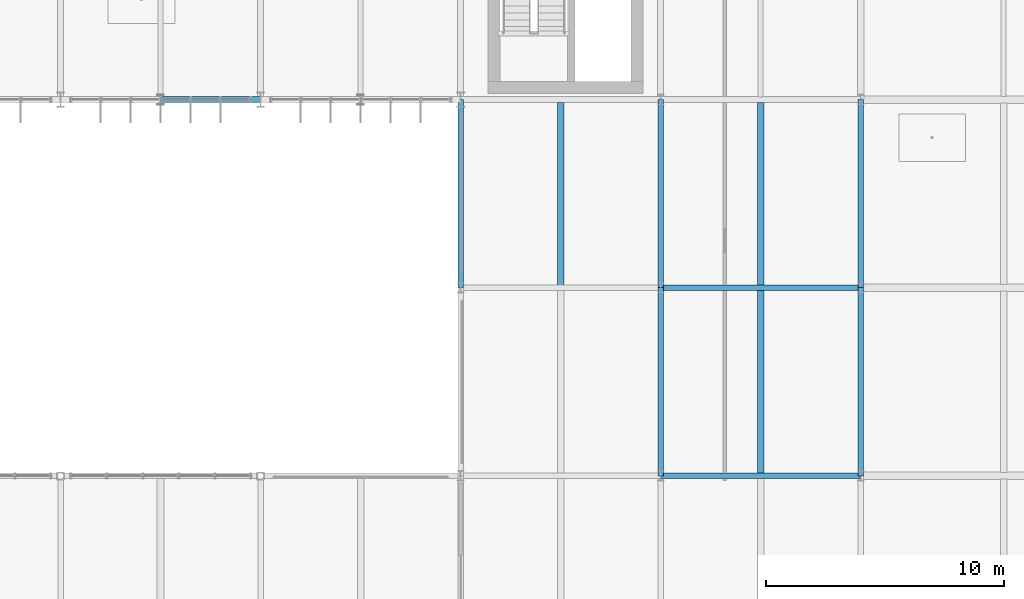
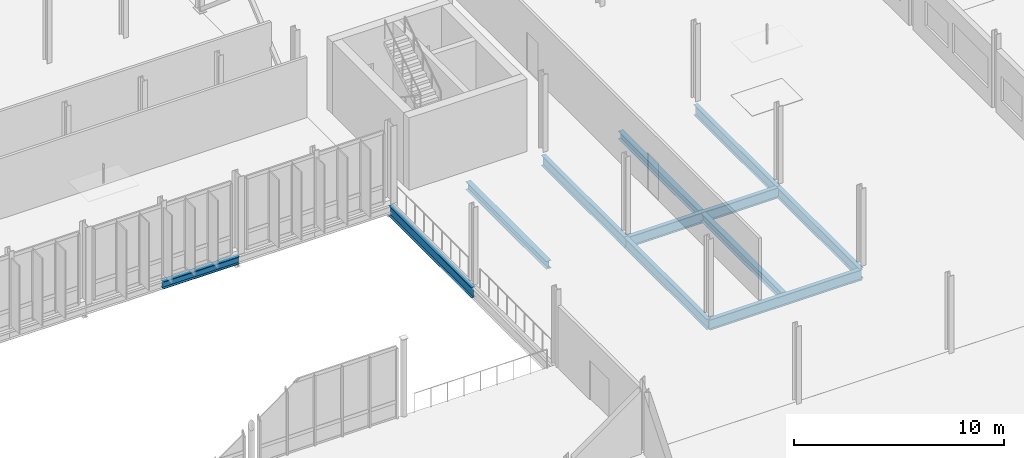
# One storey, part 75 of 139: 11 beams.
"""IFC4 building model written with IfcOpenShell, lengths in metres."""

from ifc_helpers import new_model, si_unit, derived_unit, direction, frame, origin, origin_2d, place, context, subcontext, project, spatial, i_section, extrude, material, material_profile, profile_set, type_object, element, save


model = new_model("IFC4")

# Units and contexts
model_context = context("Model", 3, precision=1e-05, world=origin(), true_north=direction((0.0, 1.0)))
body_context = subcontext(model_context, "Body", "Model", "MODEL_VIEW")
ifc_project = project(units=[si_unit("LENGTHUNIT", "METRE"), si_unit("AREAUNIT", "SQUARE_METRE"), si_unit("VOLUMEUNIT", "CUBIC_METRE"), si_unit("PLANEANGLEUNIT", "RADIAN"), si_unit("MASSUNIT", "GRAM", prefix="KILO"), derived_unit("THERMALTRANSMITTANCEUNIT", [(si_unit("MASSUNIT", "GRAM", prefix="KILO"), 1), (si_unit("TIMEUNIT", "SECOND"), -3), (si_unit("THERMODYNAMICTEMPERATUREUNIT", "KELVIN"), -1)])], contexts=[model_context])

# Site, building, storey
site_placement = place(None, origin())
site = spatial("IfcSite", under=ifc_project, at=site_placement, CompositionType="ELEMENT")
building_placement = place(site_placement, origin())
building = spatial("IfcBuilding", under=site, at=building_placement, Name="Makaiwela Harbour Ferry Terminal", CompositionType="ELEMENT")
storey_placement = place(building_placement, frame((0.0, 0.0, 5.10009765625)))
storey = spatial("IfcBuildingStorey", under=building, at=storey_placement, Name="L01", CompositionType="ELEMENT", Elevation=5.10009765625)

# Beams
ifc_material = material(Name="Steel ASTM A992 Grade 50", Category="steel")
ifc_material_profile_1 = material_profile(ifc_material, i_section(OverallWidth=0.280029296875, OverallDepth=0.462890625, WebThickness=0.0107421875, FlangeThickness=0.017333984375, at=origin_2d()), Name="W18X76")
ifc_profile_set_1 = profile_set([ifc_material_profile_1], Name="Steel ASTM A992 Grade 50")
beam_type_1 = type_object("IfcBeamType", Name="STR-BM-W18X76", PredefinedType="BEAM", material=ifc_profile_set_1)
beam_1_placement = place(storey_placement, frame((142.800048828125, 41.596435546875, -0.51171875), z_axis=(0.0, 1.0, 0.0), x_axis=(-1.0, 0.0, 0.0)))
element("IfcBeam", 1, at=beam_1_placement, inside=storey, type_object=beam_type_1, Name="Secondary floor beam 1155", PredefinedType="BEAM", context=body_context, shape_type="SweptSolid", body=[
    extrude(i_section(OverallWidth=0.280029296875, OverallDepth=0.462890625, WebThickness=0.0107421875, FlangeThickness=0.017333984375, at=origin_2d()), origin(), (0.0, 0.0, 1.0), 7.68896484375),
])
beam_2_placement = place(storey_placement, frame((151.199951171875, 33.696533203125, -0.51171875), z_axis=(0.0, 1.0, 0.0), x_axis=(-1.0, 0.0, 0.0)))
element("IfcBeam", 2, at=beam_2_placement, inside=storey, type_object=beam_type_1, Name="Secondary floor beam 1164", PredefinedType="BEAM", context=body_context, shape_type="SweptSolid", body=[
    extrude(i_section(OverallWidth=0.280029296875, OverallDepth=0.462890625, WebThickness=0.0107421875, FlangeThickness=0.017333984375, at=origin_2d()), origin(), (0.0, 0.0, 1.0), 7.70703125),
])
beam_3_placement = place(storey_placement, frame((151.199951171875, 41.596435546875, -0.51171875), z_axis=(0.0, 1.0, 0.0), x_axis=(-1.0, 0.0, 0.0)))
element("IfcBeam", 3, at=beam_3_placement, inside=storey, type_object=beam_type_1, Name="Secondary floor beam 1165", PredefinedType="BEAM", context=body_context, shape_type="SweptSolid", body=[
    extrude(i_section(OverallWidth=0.280029296875, OverallDepth=0.462890625, WebThickness=0.0107421875, FlangeThickness=0.017333984375, at=origin_2d()), origin(), (0.0, 0.0, 1.0), 7.68896484375),
])
ifc_material_profile_2 = material_profile(ifc_material, i_section(OverallWidth=0.22900390625, OverallDepth=0.612060546875, WebThickness=0.011962890625, FlangeThickness=0.01953125, at=origin_2d()), Name="W24X84")
ifc_profile_set_2 = profile_set([ifc_material_profile_2], Name="Steel ASTM A992 Grade 50")
beam_type_2 = type_object("IfcBeamType", Name="STR-GRD-W24X84", PredefinedType="USERDEFINED", material=ifc_profile_set_2)
for number, where, z_axis, x_axis, name in (
    (4, (147.0, 33.60009765625, -0.586181640625), (1.0, 0.0, 0.0), (0.0, 1.0, 0.0), "Primary X girder 793"),
    (5, (147.0, 41.5, -0.586181640625), (1.0, 0.0, 0.0), (0.0, 1.0, 0.0), "Primary X girder 802"),
):
    element("IfcBeam", number, at=place(storey_placement, frame(where, z_axis=z_axis, x_axis=x_axis)), inside=storey, type_object=beam_type_2, Name=name, ObjectType="GIRDER", PredefinedType="USERDEFINED", context=body_context, shape_type="SweptSolid", body=[
        extrude(i_section(OverallWidth=0.22900390625, OverallDepth=0.612060546875, WebThickness=0.011962890625, FlangeThickness=0.01953125, at=origin_2d()), origin(), (0.0, 0.0, 1.0), 8.39990234375),
    ])
for number, where, z_axis, x_axis, name in (
    (6, (138.60009765625, 41.5, -0.586181640625), (0.0, 1.0, 0.0), (-1.0, 0.0, 0.0), "Primary Y girder 1012"),
    (7, (147.0, 33.60009765625, -0.586181640625), (0.0, 1.0, 0.0), (-1.0, 0.0, 0.0), "Primary Y girder 1023"),
    (8, (147.0, 41.5, -0.586181640625), (0.0, 1.0, 0.0), (-1.0, 0.0, 0.0), "Primary Y girder 1024"),
    (9, (155.39990234375, 33.60009765625, -0.586181640625), (0.0, 1.0, 0.0), (-1.0, 0.0, 0.0), "Primary Y girder 1034"),
    (10, (155.39990234375, 41.5, -0.586181640625), (0.0, 1.0, 0.0), (-1.0, 0.0, 0.0), "Primary Y girder 1035"),
):
    element("IfcBeam", number, at=place(storey_placement, frame(where, z_axis=z_axis, x_axis=x_axis)), inside=storey, type_object=beam_type_2, Name=name, ObjectType="GIRDER", PredefinedType="USERDEFINED", context=body_context, shape_type="SweptSolid", body=[
        extrude(i_section(OverallWidth=0.22900390625, OverallDepth=0.612060546875, WebThickness=0.011962890625, FlangeThickness=0.01953125, at=origin_2d()), origin(), (0.0, 0.0, 1.0), 7.89990234375),
    ])
ifc_material_profile_3 = material_profile(ifc_material, i_section(OverallWidth=0.264892578125, OverallDepth=0.430908203125, WebThickness=0.014892578125, FlangeThickness=0.02490234375, at=origin_2d()), Name="W16X100")
ifc_profile_set_3 = profile_set([ifc_material_profile_3], Name="Steel ASTM A992 Grade 50")
beam_type_3 = type_object("IfcBeamType", Name="STR-SPN-W16X100", PredefinedType="SPANDREL", material=ifc_profile_set_3)
beam_4_placement = place(storey_placement, frame((126.0, 49.39990234375, -0.49560546875), z_axis=(1.0, 0.0, 0.0), x_axis=(0.0, 1.0, 0.0)))
element("IfcBeam", 11, at=beam_4_placement, inside=storey, type_object=beam_type_3, Name="Primary X girder 822", PredefinedType="SPANDREL", context=body_context, shape_type="SweptSolid", body=[
    extrude(i_section(OverallWidth=0.264892578125, OverallDepth=0.430908203125, WebThickness=0.014892578125, FlangeThickness=0.02490234375, at=origin_2d()), origin(), (0.0, 0.0, 1.0), 4.199951171875),
])

save(model, "model.ifc")
